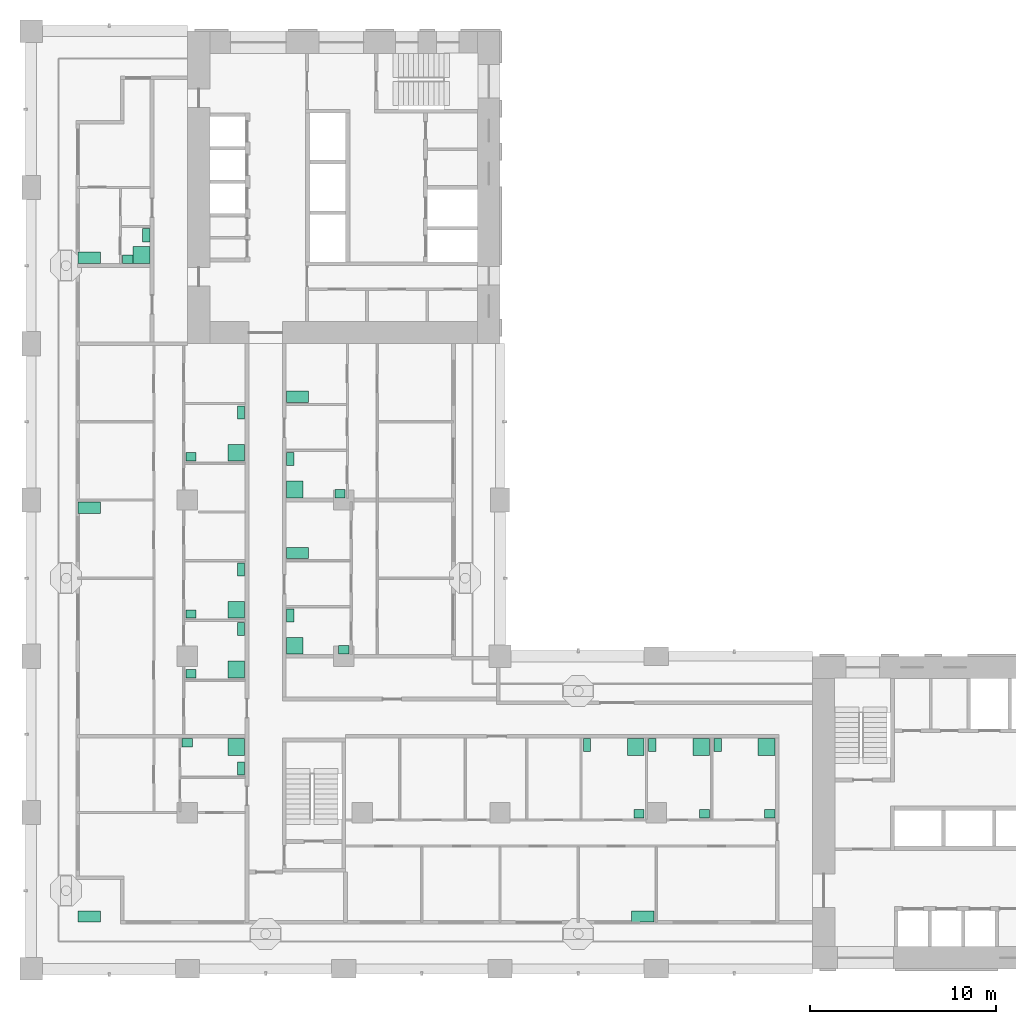
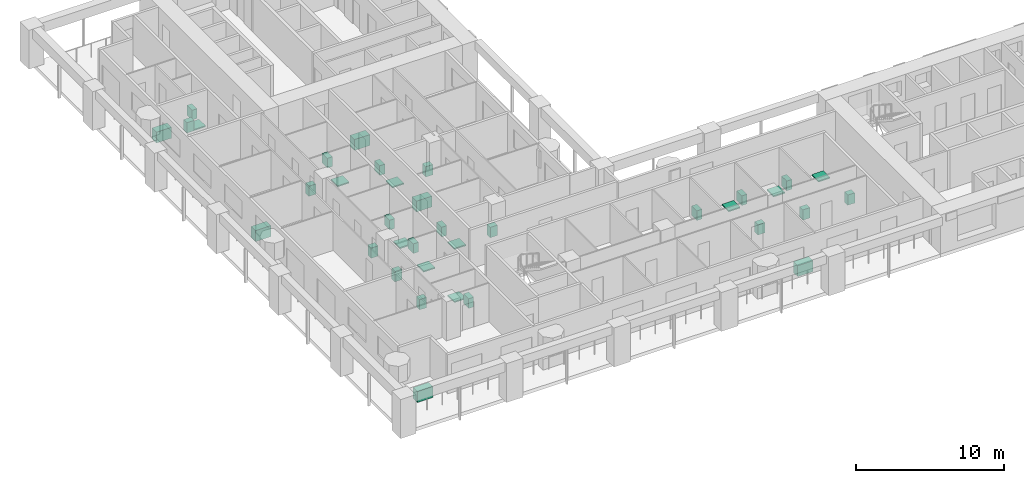
# One storey, part 17 of 19: 36 sanitary terminals.
"""IFC4 building model written with IfcOpenShell, lengths in metres."""

from ifc_helpers import new_model, si_unit, direction, frame, origin, origin_2d, place, context, subcontext, project, spatial, rectangle, extrude, material, element, save


model = new_model("IFC4")

# Units and contexts
model_context = context("Model", 3, precision=1e-05, world=origin(), true_north=direction((0.0, 1.0)))
body_context = subcontext(model_context, "Body", "Model", "MODEL_VIEW")
ifc_project = project(units=[si_unit("LENGTHUNIT", "METRE"), si_unit("AREAUNIT", "SQUARE_METRE"), si_unit("VOLUMEUNIT", "CUBIC_METRE"), si_unit("PLANEANGLEUNIT", "RADIAN"), si_unit("MASSUNIT", "GRAM", prefix="KILO")], contexts=[model_context])

# Site, building, storey
site_placement = place(None, origin())
site = spatial("IfcSite", under=ifc_project, at=site_placement, CompositionType="ELEMENT")
building_placement = place(site_placement, origin())
building = spatial("IfcBuilding", under=site, at=building_placement, Name="Vermilion Gate Residences", CompositionType="ELEMENT")
storey_placement = place(building_placement, frame((0.0, 0.0, 123.199951171875)))
storey = spatial("IfcBuildingStorey", under=building, at=storey_placement, Name="L31", CompositionType="ELEMENT", Elevation=123.199951171875)

# Sanitary terminals
ifc_material_1 = material(Name="Stainless steel", Category="steel")
sanitary_terminal_1_placement = place(storey_placement, frame((3.1201171875, 11.219970703125, 0.0), z_axis=(0.0, 0.0, 1.0), x_axis=(1.0, 0.0, 0.0)))
element("IfcSanitaryTerminal", 1, at=sanitary_terminal_1_placement, inside=storey, material=ifc_material_1, Name="Kitchen sink", PredefinedType="SINK", context=body_context, shape_type="SweptSolid", body=[
    extrude(rectangle(XDim=1.199951171875, YDim=0.60009765625, at=origin_2d()), origin(), (0.0, 0.0, 1.0), 0.89990234375),
])
ifc_material_2 = material(Name="Vitreous china")
sanitary_terminal_2_placement = place(storey_placement, frame((11.030029296875, 20.330078125, 0.0), z_axis=(0.0, 0.0, 1.0), x_axis=(1.0, 0.0, 0.0)))
element("IfcSanitaryTerminal", 2, at=sanitary_terminal_2_placement, inside=storey, material=ifc_material_2, Name="Shower tray", PredefinedType="SHOWER", context=body_context, shape_type="SweptSolid", body=[
    extrude(rectangle(XDim=0.89990234375, YDim=0.89990234375, at=origin_2d()), origin(), (0.0, 0.0, 1.0), 0.10009765625),
])
sanitary_terminal_3_placement = place(storey_placement, frame((11.280029296875, 19.169921875, 0.0), z_axis=(0.0, 0.0, 1.0), x_axis=(1.0, 0.0, 0.0)))
element("IfcSanitaryTerminal", 3, at=sanitary_terminal_3_placement, inside=storey, material=ifc_material_2, Name="Toilet", PredefinedType="TOILETPAN", context=body_context, shape_type="SweptSolid", body=[
    extrude(rectangle(XDim=0.39990234375, YDim=0.699951171875, at=origin_2d()), origin(), (0.0, 0.0, 1.0), 0.800048828125),
])
sanitary_terminal_4_placement = place(storey_placement, frame((8.39501953125, 20.554931640625, 0.0), z_axis=(0.0, 0.0, 1.0), x_axis=(1.0, 0.0, 0.0)))
element("IfcSanitaryTerminal", 4, at=sanitary_terminal_4_placement, inside=storey, material=ifc_material_2, Name="Wash basin", PredefinedType="WASHHANDBASIN", context=body_context, shape_type="SweptSolid", body=[
    extrude(rectangle(XDim=0.550048828125, YDim=0.449951171875, at=origin_2d()), origin(), (0.0, 0.0, 1.0), 0.85009765625),
])
sanitary_terminal_5_placement = place(storey_placement, frame((32.8798828125, 11.219970703125, 0.0), z_axis=(0.0, 0.0, 1.0), x_axis=(1.0, 0.0, 0.0)))
element("IfcSanitaryTerminal", 5, at=sanitary_terminal_5_placement, inside=storey, material=ifc_material_1, Name="Kitchen sink", PredefinedType="SINK", context=body_context, shape_type="SweptSolid", body=[
    extrude(rectangle(XDim=1.199951171875, YDim=0.60009765625, at=origin_2d()), origin(), (0.0, 0.0, 1.0), 0.89990234375),
])
sanitary_terminal_6_placement = place(storey_placement, frame((32.501953125, 20.330078125, 0.0), z_axis=(0.0, 0.0, 1.0), x_axis=(1.0, 0.0, 0.0)))
element("IfcSanitaryTerminal", 6, at=sanitary_terminal_6_placement, inside=storey, material=ifc_material_2, Name="Shower tray", PredefinedType="SHOWER", context=body_context, shape_type="SweptSolid", body=[
    extrude(rectangle(XDim=0.89990234375, YDim=0.89990234375, at=origin_2d()), origin(), (0.0, 0.0, 1.0), 0.10009765625),
])
sanitary_terminal_7_placement = place(storey_placement, frame((29.876953125, 20.429931640625, 0.0), z_axis=(0.0, 0.0, 1.0), x_axis=(1.0, 0.0, 0.0)))
element("IfcSanitaryTerminal", 7, at=sanitary_terminal_7_placement, inside=storey, material=ifc_material_2, Name="Toilet", PredefinedType="TOILETPAN", context=body_context, shape_type="SweptSolid", body=[
    extrude(rectangle(XDim=0.39990234375, YDim=0.699951171875, at=origin_2d()), origin(), (0.0, 0.0, 1.0), 0.800048828125),
])
sanitary_terminal_8_placement = place(storey_placement, frame((32.677001953125, 16.7451171875, 0.0), z_axis=(0.0, 0.0, 1.0), x_axis=(1.0, 0.0, 0.0)))
element("IfcSanitaryTerminal", 8, at=sanitary_terminal_8_placement, inside=storey, material=ifc_material_2, Name="Wash basin", PredefinedType="WASHHANDBASIN", context=body_context, shape_type="SweptSolid", body=[
    extrude(rectangle(XDim=0.550048828125, YDim=0.449951171875, at=origin_2d()), origin(), (0.0, 0.0, 1.0), 0.85009765625),
])
sanitary_terminal_9_placement = place(storey_placement, frame((36.01611328125, 20.330078125, 0.0), z_axis=(0.0, 0.0, 1.0), x_axis=(1.0, 0.0, 0.0)))
element("IfcSanitaryTerminal", 9, at=sanitary_terminal_9_placement, inside=storey, material=ifc_material_2, Name="Shower tray", PredefinedType="SHOWER", context=body_context, shape_type="SweptSolid", body=[
    extrude(rectangle(XDim=0.89990234375, YDim=0.89990234375, at=origin_2d()), origin(), (0.0, 0.0, 1.0), 0.10009765625),
])
sanitary_terminal_10_placement = place(storey_placement, frame((33.39208984375, 20.429931640625, 0.0), z_axis=(0.0, 0.0, 1.0), x_axis=(1.0, 0.0, 0.0)))
element("IfcSanitaryTerminal", 10, at=sanitary_terminal_10_placement, inside=storey, material=ifc_material_2, Name="Toilet", PredefinedType="TOILETPAN", context=body_context, shape_type="SweptSolid", body=[
    extrude(rectangle(XDim=0.39990234375, YDim=0.699951171875, at=origin_2d()), origin(), (0.0, 0.0, 1.0), 0.800048828125),
])
sanitary_terminal_11_placement = place(storey_placement, frame((36.19091796875, 16.7451171875, 0.0), z_axis=(0.0, 0.0, 1.0), x_axis=(1.0, 0.0, 0.0)))
element("IfcSanitaryTerminal", 11, at=sanitary_terminal_11_placement, inside=storey, material=ifc_material_2, Name="Wash basin", PredefinedType="WASHHANDBASIN", context=body_context, shape_type="SweptSolid", body=[
    extrude(rectangle(XDim=0.550048828125, YDim=0.449951171875, at=origin_2d()), origin(), (0.0, 0.0, 1.0), 0.85009765625),
])
sanitary_terminal_12_placement = place(storey_placement, frame((39.530029296875, 20.330078125, 0.0), z_axis=(0.0, 0.0, 1.0), x_axis=(1.0, 0.0, 0.0)))
element("IfcSanitaryTerminal", 12, at=sanitary_terminal_12_placement, inside=storey, material=ifc_material_2, Name="Shower tray", PredefinedType="SHOWER", context=body_context, shape_type="SweptSolid", body=[
    extrude(rectangle(XDim=0.89990234375, YDim=0.89990234375, at=origin_2d()), origin(), (0.0, 0.0, 1.0), 0.10009765625),
])
sanitary_terminal_13_placement = place(storey_placement, frame((36.906005859375, 20.429931640625, 0.0), z_axis=(0.0, 0.0, 1.0), x_axis=(1.0, 0.0, 0.0)))
element("IfcSanitaryTerminal", 13, at=sanitary_terminal_13_placement, inside=storey, material=ifc_material_2, Name="Toilet", PredefinedType="TOILETPAN", context=body_context, shape_type="SweptSolid", body=[
    extrude(rectangle(XDim=0.39990234375, YDim=0.699951171875, at=origin_2d()), origin(), (0.0, 0.0, 1.0), 0.800048828125),
])
sanitary_terminal_14_placement = place(storey_placement, frame((39.705078125, 16.7451171875, 0.0), z_axis=(0.0, 0.0, 1.0), x_axis=(1.0, 0.0, 0.0)))
element("IfcSanitaryTerminal", 14, at=sanitary_terminal_14_placement, inside=storey, material=ifc_material_2, Name="Wash basin", PredefinedType="WASHHANDBASIN", context=body_context, shape_type="SweptSolid", body=[
    extrude(rectangle(XDim=0.550048828125, YDim=0.449951171875, at=origin_2d()), origin(), (0.0, 0.0, 1.0), 0.85009765625),
])
sanitary_terminal_15_placement = place(storey_placement, frame((3.1201171875, 33.179931640625, 0.0), z_axis=(0.0, 0.0, 1.0), x_axis=(1.0, 0.0, 0.0)))
element("IfcSanitaryTerminal", 15, at=sanitary_terminal_15_placement, inside=storey, material=ifc_material_1, Name="Kitchen sink", PredefinedType="SINK", context=body_context, shape_type="SweptSolid", body=[
    extrude(rectangle(XDim=1.199951171875, YDim=0.60009765625, at=origin_2d()), origin(), (0.0, 0.0, 1.0), 0.89990234375),
])
sanitary_terminal_16_placement = place(storey_placement, frame((11.030029296875, 24.48388671875, 0.0), z_axis=(0.0, 0.0, 1.0), x_axis=(1.0, 0.0, 0.0)))
element("IfcSanitaryTerminal", 16, at=sanitary_terminal_16_placement, inside=storey, material=ifc_material_2, Name="Shower tray", PredefinedType="SHOWER", context=body_context, shape_type="SweptSolid", body=[
    extrude(rectangle(XDim=0.89990234375, YDim=0.89990234375, at=origin_2d()), origin(), (0.0, 0.0, 1.0), 0.10009765625),
])
sanitary_terminal_17_placement = place(storey_placement, frame((11.280029296875, 26.658935546875, 0.0), z_axis=(0.0, 0.0, 1.0), x_axis=(1.0, 0.0, 0.0)))
element("IfcSanitaryTerminal", 17, at=sanitary_terminal_17_placement, inside=storey, material=ifc_material_2, Name="Toilet", PredefinedType="TOILETPAN", context=body_context, shape_type="SweptSolid", body=[
    extrude(rectangle(XDim=0.39990234375, YDim=0.699951171875, at=origin_2d()), origin(), (0.0, 0.0, 1.0), 0.800048828125),
])
sanitary_terminal_18_placement = place(storey_placement, frame((8.594970703125, 24.259033203125, 0.0), z_axis=(0.0, 0.0, 1.0), x_axis=(1.0, 0.0, 0.0)))
element("IfcSanitaryTerminal", 18, at=sanitary_terminal_18_placement, inside=storey, material=ifc_material_2, Name="Wash basin", PredefinedType="WASHHANDBASIN", context=body_context, shape_type="SweptSolid", body=[
    extrude(rectangle(XDim=0.550048828125, YDim=0.449951171875, at=origin_2d()), origin(), (0.0, 0.0, 1.0), 0.85009765625),
])
sanitary_terminal_19_placement = place(storey_placement, frame((11.030029296875, 27.698974609375, 0.0), z_axis=(0.0, 0.0, 1.0), x_axis=(1.0, 0.0, 0.0)))
element("IfcSanitaryTerminal", 19, at=sanitary_terminal_19_placement, inside=storey, material=ifc_material_2, Name="Shower tray", PredefinedType="SHOWER", context=body_context, shape_type="SweptSolid", body=[
    extrude(rectangle(XDim=0.89990234375, YDim=0.89990234375, at=origin_2d()), origin(), (0.0, 0.0, 1.0), 0.10009765625),
])
sanitary_terminal_20_placement = place(storey_placement, frame((11.280029296875, 29.873046875, 0.0), z_axis=(0.0, 0.0, 1.0), x_axis=(1.0, 0.0, 0.0)))
element("IfcSanitaryTerminal", 20, at=sanitary_terminal_20_placement, inside=storey, material=ifc_material_2, Name="Toilet", PredefinedType="TOILETPAN", context=body_context, shape_type="SweptSolid", body=[
    extrude(rectangle(XDim=0.39990234375, YDim=0.699951171875, at=origin_2d()), origin(), (0.0, 0.0, 1.0), 0.800048828125),
])
sanitary_terminal_21_placement = place(storey_placement, frame((8.594970703125, 27.47412109375, 0.0), z_axis=(0.0, 0.0, 1.0), x_axis=(1.0, 0.0, 0.0)))
element("IfcSanitaryTerminal", 21, at=sanitary_terminal_21_placement, inside=storey, material=ifc_material_2, Name="Wash basin", PredefinedType="WASHHANDBASIN", context=body_context, shape_type="SweptSolid", body=[
    extrude(rectangle(XDim=0.550048828125, YDim=0.449951171875, at=origin_2d()), origin(), (0.0, 0.0, 1.0), 0.85009765625),
])
sanitary_terminal_22_placement = place(storey_placement, frame((11.030029296875, 36.14208984375, 0.0), z_axis=(0.0, 0.0, 1.0), x_axis=(1.0, 0.0, 0.0)))
element("IfcSanitaryTerminal", 22, at=sanitary_terminal_22_placement, inside=storey, material=ifc_material_2, Name="Shower tray", PredefinedType="SHOWER", context=body_context, shape_type="SweptSolid", body=[
    extrude(rectangle(XDim=0.89990234375, YDim=0.89990234375, at=origin_2d()), origin(), (0.0, 0.0, 1.0), 0.10009765625),
])
sanitary_terminal_23_placement = place(storey_placement, frame((11.280029296875, 38.31591796875, 0.0), z_axis=(0.0, 0.0, 1.0), x_axis=(1.0, 0.0, 0.0)))
element("IfcSanitaryTerminal", 23, at=sanitary_terminal_23_placement, inside=storey, material=ifc_material_2, Name="Toilet", PredefinedType="TOILETPAN", context=body_context, shape_type="SweptSolid", body=[
    extrude(rectangle(XDim=0.39990234375, YDim=0.699951171875, at=origin_2d()), origin(), (0.0, 0.0, 1.0), 0.800048828125),
])
sanitary_terminal_24_placement = place(storey_placement, frame((8.594970703125, 35.9169921875, 0.0), z_axis=(0.0, 0.0, 1.0), x_axis=(1.0, 0.0, 0.0)))
element("IfcSanitaryTerminal", 24, at=sanitary_terminal_24_placement, inside=storey, material=ifc_material_2, Name="Wash basin", PredefinedType="WASHHANDBASIN", context=body_context, shape_type="SweptSolid", body=[
    extrude(rectangle(XDim=0.550048828125, YDim=0.449951171875, at=origin_2d()), origin(), (0.0, 0.0, 1.0), 0.85009765625),
])
sanitary_terminal_25_placement = place(storey_placement, frame((14.169921875, 25.77001953125, 0.0), z_axis=(0.0, 0.0, 1.0), x_axis=(1.0, 0.0, 0.0)))
element("IfcSanitaryTerminal", 25, at=sanitary_terminal_25_placement, inside=storey, material=ifc_material_2, Name="Shower tray", PredefinedType="SHOWER", context=body_context, shape_type="SweptSolid", body=[
    extrude(rectangle(XDim=0.89990234375, YDim=0.89990234375, at=origin_2d()), origin(), (0.0, 0.0, 1.0), 0.10009765625),
])
sanitary_terminal_26_placement = place(storey_placement, frame((13.919921875, 27.39697265625, 0.0), z_axis=(0.0, 0.0, 1.0), x_axis=(1.0, 0.0, 0.0)))
element("IfcSanitaryTerminal", 26, at=sanitary_terminal_26_placement, inside=storey, material=ifc_material_2, Name="Toilet", PredefinedType="TOILETPAN", context=body_context, shape_type="SweptSolid", body=[
    extrude(rectangle(XDim=0.39990234375, YDim=0.699951171875, at=origin_2d()), origin(), (0.0, 0.0, 1.0), 0.800048828125),
])
sanitary_terminal_27_placement = place(storey_placement, frame((16.804931640625, 25.544921875, 0.0), z_axis=(0.0, 0.0, 1.0), x_axis=(1.0, 0.0, 0.0)))
element("IfcSanitaryTerminal", 27, at=sanitary_terminal_27_placement, inside=storey, material=ifc_material_2, Name="Wash basin", PredefinedType="WASHHANDBASIN", context=body_context, shape_type="SweptSolid", body=[
    extrude(rectangle(XDim=0.550048828125, YDim=0.449951171875, at=origin_2d()), origin(), (0.0, 0.0, 1.0), 0.85009765625),
])
sanitary_terminal_28_placement = place(storey_placement, frame((14.320068359375, 30.7529296875, 0.0), z_axis=(0.0, 0.0, 1.0), x_axis=(1.0, 0.0, 0.0)))
element("IfcSanitaryTerminal", 28, at=sanitary_terminal_28_placement, inside=storey, material=ifc_material_1, Name="Kitchen sink", PredefinedType="SINK", context=body_context, shape_type="SweptSolid", body=[
    extrude(rectangle(XDim=1.199951171875, YDim=0.60009765625, at=origin_2d()), origin(), (0.0, 0.0, 1.0), 0.89990234375),
])
sanitary_terminal_29_placement = place(storey_placement, frame((14.169921875, 34.169921875, 0.0), z_axis=(0.0, 0.0, 1.0), x_axis=(1.0, 0.0, 0.0)))
element("IfcSanitaryTerminal", 29, at=sanitary_terminal_29_placement, inside=storey, material=ifc_material_2, Name="Shower tray", PredefinedType="SHOWER", context=body_context, shape_type="SweptSolid", body=[
    extrude(rectangle(XDim=0.89990234375, YDim=0.89990234375, at=origin_2d()), origin(), (0.0, 0.0, 1.0), 0.10009765625),
])
sanitary_terminal_30_placement = place(storey_placement, frame((13.919921875, 35.797119140625, 0.0), z_axis=(0.0, 0.0, 1.0), x_axis=(1.0, 0.0, 0.0)))
element("IfcSanitaryTerminal", 30, at=sanitary_terminal_30_placement, inside=storey, material=ifc_material_2, Name="Toilet", PredefinedType="TOILETPAN", context=body_context, shape_type="SweptSolid", body=[
    extrude(rectangle(XDim=0.39990234375, YDim=0.699951171875, at=origin_2d()), origin(), (0.0, 0.0, 1.0), 0.800048828125),
])
sanitary_terminal_31_placement = place(storey_placement, frame((16.60498046875, 33.945068359375, 0.0), z_axis=(0.0, 0.0, 1.0), x_axis=(1.0, 0.0, 0.0)))
element("IfcSanitaryTerminal", 31, at=sanitary_terminal_31_placement, inside=storey, material=ifc_material_2, Name="Wash basin", PredefinedType="WASHHANDBASIN", context=body_context, shape_type="SweptSolid", body=[
    extrude(rectangle(XDim=0.550048828125, YDim=0.449951171875, at=origin_2d()), origin(), (0.0, 0.0, 1.0), 0.85009765625),
])
for number, where, z_axis, x_axis, name in (
    (32, (14.320068359375, 39.153076171875, 0.0), (0.0, 0.0, 1.0), (1.0, 0.0, 0.0), "Kitchen sink"),
    (33, (3.1201171875, 46.6201171875, 0.0), (0.0, 0.0, 1.0), (1.0, 0.0, 0.0), "Kitchen sink"),
):
    element("IfcSanitaryTerminal", number, at=place(storey_placement, frame(where, z_axis=z_axis, x_axis=x_axis)), inside=storey, material=ifc_material_1, Name=name, PredefinedType="SINK", context=body_context, shape_type="SweptSolid", body=[
        extrude(rectangle(XDim=1.199951171875, YDim=0.60009765625, at=origin_2d()), origin(), (0.0, 0.0, 1.0), 0.89990234375),
    ])
sanitary_terminal_32_placement = place(storey_placement, frame((5.929931640625, 46.77001953125, 0.0), z_axis=(0.0, 0.0, 1.0), x_axis=(1.0, 0.0, 0.0)))
element("IfcSanitaryTerminal", 34, at=sanitary_terminal_32_placement, inside=storey, material=ifc_material_2, Name="Shower tray", PredefinedType="SHOWER", context=body_context, shape_type="SweptSolid", body=[
    extrude(rectangle(XDim=0.89990234375, YDim=0.89990234375, at=origin_2d()), origin(), (0.0, 0.0, 1.0), 0.10009765625),
])
sanitary_terminal_33_placement = place(storey_placement, frame((6.179931640625, 47.830078125, 0.0), z_axis=(0.0, 0.0, 1.0), x_axis=(1.0, 0.0, 0.0)))
element("IfcSanitaryTerminal", 35, at=sanitary_terminal_33_placement, inside=storey, material=ifc_material_2, Name="Toilet", PredefinedType="TOILETPAN", context=body_context, shape_type="SweptSolid", body=[
    extrude(rectangle(XDim=0.39990234375, YDim=0.699951171875, at=origin_2d()), origin(), (0.0, 0.0, 1.0), 0.800048828125),
])
sanitary_terminal_34_placement = place(storey_placement, frame((5.195068359375, 46.544921875, 0.0), z_axis=(0.0, 0.0, 1.0), x_axis=(1.0, 0.0, 0.0)))
element("IfcSanitaryTerminal", 36, at=sanitary_terminal_34_placement, inside=storey, material=ifc_material_2, Name="Wash basin", PredefinedType="WASHHANDBASIN", context=body_context, shape_type="SweptSolid", body=[
    extrude(rectangle(XDim=0.550048828125, YDim=0.449951171875, at=origin_2d()), origin(), (0.0, 0.0, 1.0), 0.85009765625),
])

save(model, "model.ifc")
